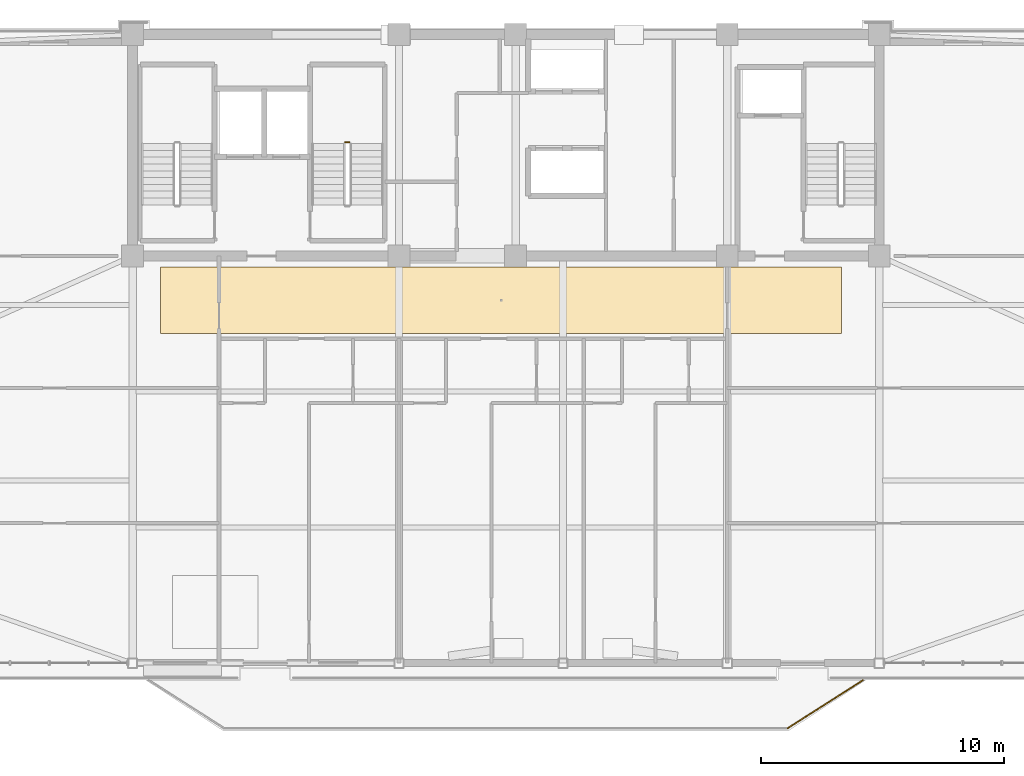
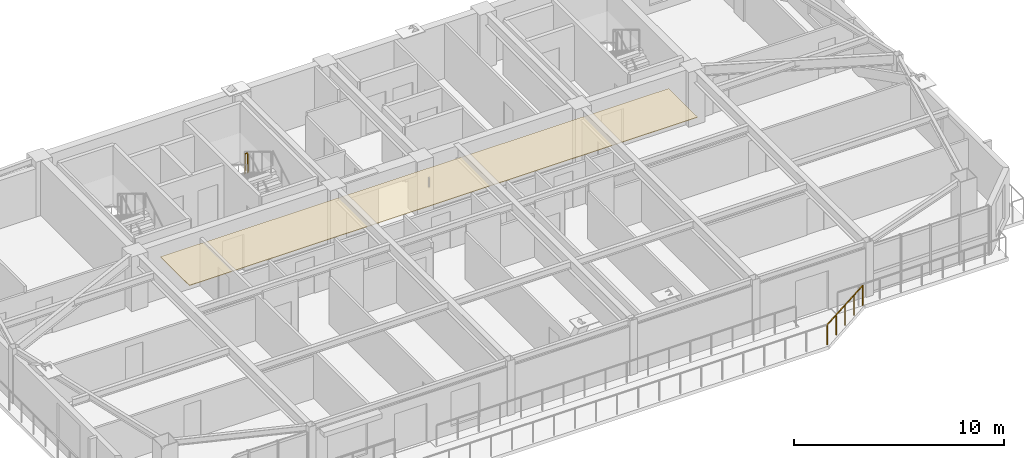
# One storey, part 13 of 14: 2 railings, 1 covering.
"""IFC4 building model written with IfcOpenShell, lengths in metres."""

from ifc_helpers import new_model, si_unit, direction, frame, origin, origin_2d, place, context, subcontext, project, spatial, polyline, rectangle, outline, extrude, material, layer, layer_set, type_object, element, save


model = new_model("IFC4")

# Units and contexts
model_context = context("Model", 3, precision=1e-05, world=origin(), true_north=direction((0.0, 1.0)))
body_context = subcontext(model_context, "Body", "Model", "MODEL_VIEW")
ifc_project = project(units=[si_unit("LENGTHUNIT", "METRE"), si_unit("AREAUNIT", "SQUARE_METRE"), si_unit("VOLUMEUNIT", "CUBIC_METRE"), si_unit("PLANEANGLEUNIT", "RADIAN"), si_unit("MASSUNIT", "GRAM", prefix="KILO")], contexts=[model_context])

# Site, building, storey
site_placement = place(None, origin())
site = spatial("IfcSite", under=ifc_project, at=site_placement, CompositionType="ELEMENT")
building_placement = place(site_placement, origin())
building = spatial("IfcBuilding", under=site, at=building_placement, Name="Giltprow Tower", CompositionType="ELEMENT")
storey_placement = place(building_placement, frame((0.0, 0.0, 317.60009765625)))
storey = spatial("IfcBuildingStorey", under=building, at=storey_placement, Name="L82", CompositionType="ELEMENT", Elevation=317.60009765625)

# Covering
ifc_material_1 = material(Name="Painted gypsum board", Category="gypsum")
ifc_layer = layer(ifc_material_1, 0.030029296875, Name="Painted gypsum board")
ifc_layer_set = layer_set([ifc_layer], Name="Painted gypsum board")
covering_type = type_object("IfcCoveringType", Name="COV-CLG-GYPSUM", PredefinedType="CEILING", material=ifc_layer_set)
covering_placement = place(storey_placement, frame((0.0, 0.0, 2.619873046875)))
element("IfcCovering", 1, at=covering_placement, inside=storey, type_object=covering_type, Name="L82 Residence Gallery Ceiling", PredefinedType="CEILING", context=body_context, shape_type="SweptSolid", body=[
    extrude(outline(polyline([(21.0, 34.25), (49.0, 34.25), (49.0, 37.0), (21.0, 37.0), (21.0, 34.25)])), origin(), (0.0, 0.0, 1.0), 0.030029296875),
])

# Railings
ifc_material_2 = material(Name="Anodized bronze", Category="metal")
railing_type_1 = type_object("IfcRailingType", Name="RAIL-BALC-GUARD-1200", PredefinedType="BALUSTRADE", material=ifc_material_2)
railing_1_placement = place(storey_placement, frame((46.780029296875, 18.02392578125, 0.0)))
element("IfcRailing", 2, at=railing_1_placement, inside=storey, type_object=railing_type_1, Name="L82 Waterfront Balcony Balustrade Seg 3", PredefinedType="BALUSTRADE", context=body_context, shape_type="SweptSolid", body=[
    extrude(rectangle(XDim=0.048095703125, YDim=0.048095703125, at=origin_2d()), frame((0.0, 0.0, 1.17578125), z_axis=(0.842755646126, 0.538296313309, 0.0), x_axis=(-0.538296313309, 0.842755646126, 0.0)), (0.0, 0.0, 1.0), 3.67822265625),
    extrude(rectangle(XDim=0.0419921875, YDim=0.0419921875, at=origin_2d()), origin(), (0.0, 0.0, 1.0), 1.15185546875),
    extrude(rectangle(XDim=0.0419921875, YDim=0.0419921875, at=origin_2d()), frame((0.77490234375, 0.4951171875, 0.0)), (0.0, 0.0, 1.0), 1.15185546875),
    extrude(rectangle(XDim=0.0419921875, YDim=0.0419921875, at=origin_2d()), frame((1.5498046875, 0.989990234375, 0.0)), (0.0, 0.0, 1.0), 1.15185546875),
    extrude(rectangle(XDim=0.0419921875, YDim=0.0419921875, at=origin_2d()), frame((2.324951171875, 1.48486328125, 0.0)), (0.0, 0.0, 1.0), 1.15185546875),
    extrude(rectangle(XDim=0.0419921875, YDim=0.0419921875, at=origin_2d()), frame((3.099853515625, 1.97998046875, 0.0)), (0.0, 0.0, 1.0), 1.15185546875),
])
railing_type_2 = type_object("IfcRailingType", Name="RAIL-STAIR-GUARD-1200", PredefinedType="GUARDRAIL", material=ifc_material_2)
railing_2_placement = place(storey_placement, frame((28.760009765625, 42.1201171875, 1.699951171875)))
element("IfcRailing", 3, at=railing_2_placement, inside=storey, type_object=railing_type_2, Name="L82 ST-2 stair guard 2", PredefinedType="GUARDRAIL", context=body_context, shape_type="SweptSolid", body=[
    extrude(rectangle(XDim=0.048095703125, YDim=0.048095703125, at=origin_2d()), frame((0.0, 0.0, 1.17578125), z_axis=(-1.0, 0.0, 0.0), x_axis=(0.0, -1.0, 0.0)), (0.0, 0.0, 1.0), 0.159912109375),
    extrude(rectangle(XDim=0.0419921875, YDim=0.0419921875, at=origin_2d()), origin(), (0.0, 0.0, 1.0), 1.15185546875),
    extrude(rectangle(XDim=0.0419921875, YDim=0.0419921875, at=origin_2d()), frame((-0.159912109375, 0.0, 0.0)), (0.0, 0.0, 1.0), 1.15185546875),
])

save(model, "model.ifc")
